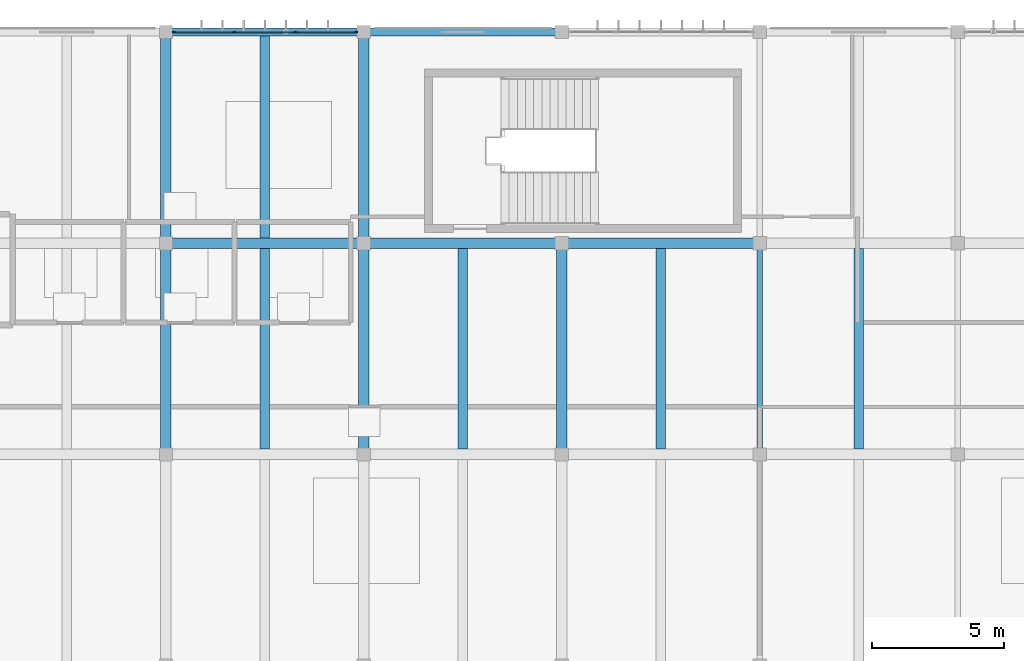
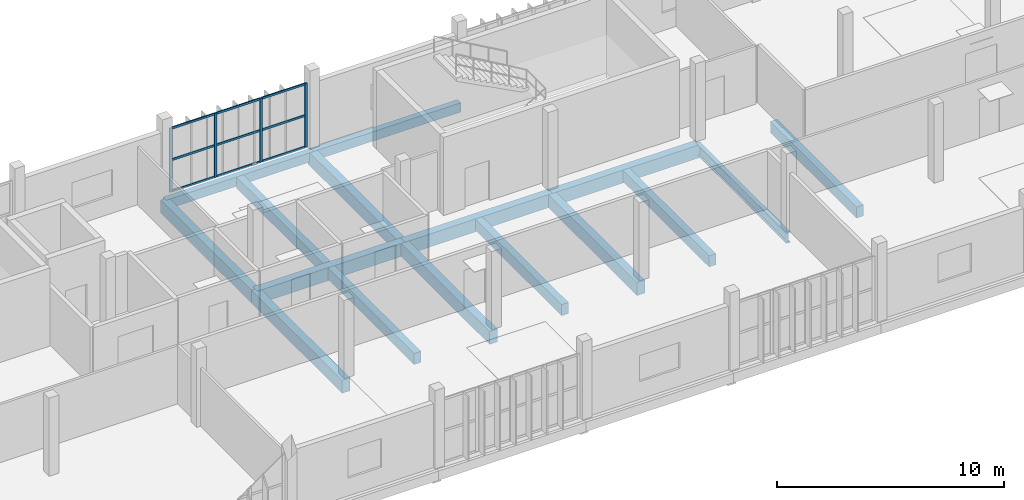
# One storey, part 10 of 27: 16 beams, 13 members, 1 element without a shape of its own.
"""IFC4 building model written with IfcOpenShell, lengths in metres."""

from ifc_helpers import new_model, si_unit, direction, frame, origin, origin_2d, place, context, subcontext, project, spatial, rectangle, i_section, extrude, material, material_profile, profile_set, type_object, element, aggregate, save


model = new_model("IFC4")

# Units and contexts
model_context = context("Model", 3, precision=1e-05, world=origin(), true_north=direction((0.0, 1.0)))
body_context = subcontext(model_context, "Body", "Model", "MODEL_VIEW")
ifc_project = project(units=[si_unit("LENGTHUNIT", "METRE"), si_unit("AREAUNIT", "SQUARE_METRE"), si_unit("VOLUMEUNIT", "CUBIC_METRE"), si_unit("PLANEANGLEUNIT", "RADIAN"), si_unit("MASSUNIT", "GRAM", prefix="KILO")], contexts=[model_context])

# Site, building, storey
site_placement = place(None, origin())
site = spatial("IfcSite", under=ifc_project, at=site_placement, CompositionType="ELEMENT")
building_placement = place(site_placement, origin())
building = spatial("IfcBuilding", under=site, at=building_placement, Name="Vourika Railside Aquatics Centre", CompositionType="ELEMENT")
storey_placement = place(building_placement, frame((0.0, 0.0, 13.5)))
storey = spatial("IfcBuildingStorey", under=building, at=storey_placement, Name="L03", CompositionType="ELEMENT", Elevation=13.5)

# Beams
ifc_material_1 = material(Name="Concrete C35/45", Category="concrete")
ifc_material_profile_1 = material_profile(ifc_material_1, rectangle(XDim=0.39990234375, YDim=0.699951171875, at=origin_2d()), Name="RC 400x700")
ifc_profile_set_1 = profile_set([ifc_material_profile_1], Name="Concrete C35/45")
beam_type_1 = type_object("IfcBeamType", Name="BM-GIRD-400x700", PredefinedType="BEAM", material=ifc_profile_set_1)
for number, where, z_axis, x_axis, name in (
    (1, (66.0, 108.0, -0.610107421875), (1.0, 0.0, 0.0), (0.0, 1.0, 0.0), "Floor Beam GX-L03-076"),
    (2, (73.5, 108.0, -0.610107421875), (1.0, 0.0, 0.0), (0.0, 1.0, 0.0), "Floor Beam GX-L03-077"),
    (3, (81.0, 108.0, -0.610107421875), (1.0, 0.0, 0.0), (0.0, 1.0, 0.0), "Floor Beam GX-L03-078"),
):
    element("IfcBeam", number, at=place(storey_placement, frame(where, z_axis=z_axis, x_axis=x_axis)), inside=storey, type_object=beam_type_1, Name=name, PredefinedType="BEAM", context=body_context, shape_type="SweptSolid", body=[
        extrude(rectangle(XDim=0.39990234375, YDim=0.699951171875, at=origin_2d()), origin(), (0.0, 0.0, 1.0), 7.5),
    ])
for number, where, z_axis, x_axis, name in (
    (4, (66.0, 100.0, -0.610107421875), (0.0, 1.0, 0.0), (-1.0, 0.0, 0.0), "Floor Girder GY-L03-136"),
    (5, (66.0, 108.0, -0.610107421875), (0.0, 1.0, 0.0), (-1.0, 0.0, 0.0), "Floor Girder GY-L03-137"),
    (6, (73.5, 100.0, -0.610107421875), (0.0, 1.0, 0.0), (-1.0, 0.0, 0.0), "Floor Girder GY-L03-139"),
    (7, (73.5, 108.0, -0.610107421875), (0.0, 1.0, 0.0), (-1.0, 0.0, 0.0), "Floor Girder GY-L03-140"),
    (8, (81.0, 100.0, -0.610107421875), (0.0, 1.0, 0.0), (-1.0, 0.0, 0.0), "Floor Girder GY-L03-142"),
):
    element("IfcBeam", number, at=place(storey_placement, frame(where, z_axis=z_axis, x_axis=x_axis)), inside=storey, type_object=beam_type_1, Name=name, PredefinedType="BEAM", context=body_context, shape_type="SweptSolid", body=[
        extrude(rectangle(XDim=0.39990234375, YDim=0.699951171875, at=origin_2d()), origin(), (0.0, 0.0, 1.0), 8.0),
    ])
ifc_material_profile_2 = material_profile(ifc_material_1, rectangle(XDim=0.35009765625, YDim=0.60009765625, at=origin_2d()), Name="RC 350x600")
ifc_profile_set_2 = profile_set([ifc_material_profile_2], Name="Concrete C35/45")
beam_type_2 = type_object("IfcBeamType", Name="BM-SEC-350x600", PredefinedType="JOIST", material=ifc_profile_set_2)
for number, where, z_axis, x_axis, name in (
    (9, (69.75, 100.199951171875, -0.56005859375), (0.0, 1.0, 0.0), (-1.0, 0.0, 0.0), "Secondary Joist JY-L03-235"),
    (10, (77.25, 100.199951171875, -0.56005859375), (0.0, 1.0, 0.0), (-1.0, 0.0, 0.0), "Secondary Joist JY-L03-236"),
    (11, (84.75, 100.199951171875, -0.56005859375), (0.0, 1.0, 0.0), (-1.0, 0.0, 0.0), "Secondary Joist JY-L03-237"),
    (12, (92.25, 100.199951171875, -0.56005859375), (0.0, 1.0, 0.0), (-1.0, 0.0, 0.0), "Secondary Joist JY-L03-238"),
):
    element("IfcBeam", number, at=place(storey_placement, frame(where, z_axis=z_axis, x_axis=x_axis)), inside=storey, type_object=beam_type_2, Name=name, PredefinedType="JOIST", context=body_context, shape_type="SweptSolid", body=[
        extrude(rectangle(XDim=0.35009765625, YDim=0.60009765625, at=origin_2d()), origin(), (0.0, 0.0, 1.0), 7.60009765625),
    ])
beam_1_placement = place(storey_placement, frame((69.75, 108.199951171875, -0.56005859375), z_axis=(0.0, 1.0, 0.0), x_axis=(-1.0, 0.0, 0.0)))
element("IfcBeam", 13, at=beam_1_placement, inside=storey, type_object=beam_type_2, Name="Secondary Joist JY-L03-246", PredefinedType="JOIST", context=body_context, shape_type="SweptSolid", body=[
    extrude(rectangle(XDim=0.35009765625, YDim=0.60009765625, at=origin_2d()), origin(), (0.0, 0.0, 1.0), 7.650146484375),
])
ifc_material_profile_3 = material_profile(ifc_material_1, rectangle(XDim=0.300048828125, YDim=0.5, at=origin_2d()), Name="RC 300x500")
ifc_profile_set_3 = profile_set([ifc_material_profile_3], Name="Concrete C35/45")
beam_type_3 = type_object("IfcBeamType", Name="BM-SPAN-300x500", PredefinedType="SPANDREL", material=ifc_profile_set_3)
for number, where, z_axis, x_axis, name in (
    (14, (66.0, 116.0, -0.510009765625), (1.0, 0.0, 0.0), (0.0, 1.0, 0.0), "Floor Beam GX-L03-091"),
    (15, (73.5, 116.0, -0.510009765625), (1.0, 0.0, 0.0), (0.0, 1.0, 0.0), "Floor Beam GX-L03-092"),
):
    element("IfcBeam", number, at=place(storey_placement, frame(where, z_axis=z_axis, x_axis=x_axis)), inside=storey, type_object=beam_type_3, Name=name, PredefinedType="SPANDREL", context=body_context, shape_type="SweptSolid", body=[
        extrude(rectangle(XDim=0.300048828125, YDim=0.5, at=origin_2d()), origin(), (0.0, 0.0, 1.0), 7.5),
    ])
ifc_material_2 = material(Name="Steel S355J2", Category="steel")
ifc_material_profile_4 = material_profile(ifc_material_2, i_section(OverallWidth=0.2099609375, OverallDepth=0.550048828125, WebThickness=0.010986328125, FlangeThickness=0.01708984375, at=origin_2d()), Name="IPE 550")
ifc_profile_set_4 = profile_set([ifc_material_profile_4], Name="Steel S355J2")
beam_type_4 = type_object("IfcBeamType", Name="BM-STL-IPE550", PredefinedType="BEAM", material=ifc_profile_set_4)
beam_2_placement = place(storey_placement, frame((88.5, 100.0, -0.534912109375), z_axis=(0.0, 1.0, 0.0), x_axis=(-1.0, 0.0, 0.0)))
element("IfcBeam", 16, at=beam_2_placement, inside=storey, type_object=beam_type_4, Name="Floor Girder GY-L03-144", PredefinedType="BEAM", context=body_context, shape_type="SweptSolid", body=[
    extrude(i_section(OverallWidth=0.2099609375, OverallDepth=0.550048828125, WebThickness=0.010986328125, FlangeThickness=0.01708984375, at=origin_2d()), origin(), (0.0, 0.0, 1.0), 8.0),
])

# Curtain wall, members
ifc_material_3 = material(Name="Anodized thermally broken aluminium", Category="aluminium")
curtain_wall_type = type_object("IfcCurtainWallType", Name="CW-FIT3", PredefinedType="NOTDEFINED", material=ifc_material_3)
curtain_wall_placement = place(storey_placement, origin())
curtain_wall = element("IfcCurtainWall", 17, at=curtain_wall_placement, inside=storey, type_object=curtain_wall_type, Name="North Boulevard Curtain Wall L03-7", PredefinedType="NOTDEFINED")
ifc_material_4 = material(Name="Anodized aluminium mullion", Category="aluminium")
ifc_material_profile_5 = material_profile(ifc_material_4, rectangle(XDim=0.05810546875, YDim=0.14208984375, at=origin_2d()), Name="ALU-M 58x142")
ifc_profile_set_5 = profile_set([ifc_material_profile_5], Name="Anodized aluminium mullion")
member_type_1 = type_object("IfcMemberType", Name="CWM-FIT3", PredefinedType="MULLION", material=ifc_profile_set_5)
member_1_placement = place(storey_placement, frame((73.19091796875, 116.0, 0.0), z_axis=(0.0, 0.0, 1.0), x_axis=(0.0, -1.0, 0.0)))
member_1 = element("IfcMember", 18, at=member_1_placement, type_object=member_type_1, Name="CW17 mullion 1", PredefinedType="MULLION", context=body_context, shape_type="SweptSolid", body=[
    extrude(rectangle(XDim=0.05810546875, YDim=0.14208984375, at=origin_2d()), origin(), (0.0, 0.0, 1.0), 3.43994140625),
])
member_2_placement = place(storey_placement, frame((70.90673828125, 116.0, 0.0), z_axis=(0.0, 0.0, 1.0), x_axis=(0.0, -1.0, 0.0)))
member_2 = element("IfcMember", 19, at=member_2_placement, type_object=member_type_1, Name="CW17 mullion 2", PredefinedType="MULLION", context=body_context, shape_type="SweptSolid", body=[
    extrude(rectangle(XDim=0.05810546875, YDim=0.14208984375, at=origin_2d()), origin(), (0.0, 0.0, 1.0), 3.43994140625),
])
member_3_placement = place(storey_placement, frame((68.59326171875, 116.0, 0.0), z_axis=(0.0, 0.0, 1.0), x_axis=(0.0, -1.0, 0.0)))
member_3 = element("IfcMember", 20, at=member_3_placement, type_object=member_type_1, Name="CW17 mullion 3", PredefinedType="MULLION", context=body_context, shape_type="SweptSolid", body=[
    extrude(rectangle(XDim=0.05810546875, YDim=0.14208984375, at=origin_2d()), origin(), (0.0, 0.0, 1.0), 3.43994140625),
])
member_4_placement = place(storey_placement, frame((66.30908203125, 116.0, 0.0), z_axis=(0.0, 0.0, 1.0), x_axis=(0.0, -1.0, 0.0)))
member_4 = element("IfcMember", 21, at=member_4_placement, type_object=member_type_1, Name="CW17 mullion 4", PredefinedType="MULLION", context=body_context, shape_type="SweptSolid", body=[
    extrude(rectangle(XDim=0.05810546875, YDim=0.14208984375, at=origin_2d()), origin(), (0.0, 0.0, 1.0), 3.43994140625),
])
ifc_material_5 = material(Name="Anodized aluminium transom", Category="aluminium")
ifc_material_profile_6 = material_profile(ifc_material_5, rectangle(XDim=0.05810546875, YDim=0.112060546875, at=origin_2d()), Name="ALU-T 58x112")
ifc_profile_set_6 = profile_set([ifc_material_profile_6], Name="Anodized aluminium transom")
member_type_2 = type_object("IfcMemberType", Name="CWT-FIT3", PredefinedType="USERDEFINED", material=ifc_profile_set_6)
member_5_placement = place(storey_placement, frame((73.162109375, 116.0, 0.029052734375), z_axis=(-1.0, 0.0, 0.0), x_axis=(0.0, -1.0, 0.0)))
member_5 = element("IfcMember", 22, at=member_5_placement, type_object=member_type_2, Name="CW17 transom 1.1", ObjectType="TRANSOM", PredefinedType="USERDEFINED", context=body_context, shape_type="SweptSolid", body=[
    extrude(rectangle(XDim=0.05810546875, YDim=0.112060546875, at=origin_2d()), origin(), (0.0, 0.0, 1.0), 2.2265625),
])
member_6_placement = place(storey_placement, frame((73.162109375, 116.0, 1.719970703125), z_axis=(-1.0, 0.0, 0.0), x_axis=(0.0, -1.0, 0.0)))
member_6 = element("IfcMember", 23, at=member_6_placement, type_object=member_type_2, Name="CW17 transom 1.2", ObjectType="TRANSOM", PredefinedType="USERDEFINED", context=body_context, shape_type="SweptSolid", body=[
    extrude(rectangle(XDim=0.05810546875, YDim=0.112060546875, at=origin_2d()), origin(), (0.0, 0.0, 1.0), 2.2265625),
])
member_7_placement = place(storey_placement, frame((73.162109375, 116.0, 3.410888671875), z_axis=(-1.0, 0.0, 0.0), x_axis=(0.0, -1.0, 0.0)))
member_7 = element("IfcMember", 24, at=member_7_placement, type_object=member_type_2, Name="CW17 transom 1.3", ObjectType="TRANSOM", PredefinedType="USERDEFINED", context=body_context, shape_type="SweptSolid", body=[
    extrude(rectangle(XDim=0.05810546875, YDim=0.112060546875, at=origin_2d()), origin(), (0.0, 0.0, 1.0), 2.2265625),
])
member_8_placement = place(storey_placement, frame((70.877685546875, 116.0, 0.029052734375), z_axis=(-1.0, 0.0, 0.0), x_axis=(0.0, -1.0, 0.0)))
member_8 = element("IfcMember", 25, at=member_8_placement, type_object=member_type_2, Name="CW17 transom 2.1", ObjectType="TRANSOM", PredefinedType="USERDEFINED", context=body_context, shape_type="SweptSolid", body=[
    extrude(rectangle(XDim=0.05810546875, YDim=0.112060546875, at=origin_2d()), origin(), (0.0, 0.0, 1.0), 2.25537109375),
])
member_9_placement = place(storey_placement, frame((70.877685546875, 116.0, 1.719970703125), z_axis=(-1.0, 0.0, 0.0), x_axis=(0.0, -1.0, 0.0)))
member_9 = element("IfcMember", 26, at=member_9_placement, type_object=member_type_2, Name="CW17 transom 2.2", ObjectType="TRANSOM", PredefinedType="USERDEFINED", context=body_context, shape_type="SweptSolid", body=[
    extrude(rectangle(XDim=0.05810546875, YDim=0.112060546875, at=origin_2d()), origin(), (0.0, 0.0, 1.0), 2.25537109375),
])
member_10_placement = place(storey_placement, frame((70.877685546875, 116.0, 3.410888671875), z_axis=(-1.0, 0.0, 0.0), x_axis=(0.0, -1.0, 0.0)))
member_10 = element("IfcMember", 27, at=member_10_placement, type_object=member_type_2, Name="CW17 transom 2.3", ObjectType="TRANSOM", PredefinedType="USERDEFINED", context=body_context, shape_type="SweptSolid", body=[
    extrude(rectangle(XDim=0.05810546875, YDim=0.112060546875, at=origin_2d()), origin(), (0.0, 0.0, 1.0), 2.25537109375),
])
member_11_placement = place(storey_placement, frame((68.564453125, 116.0, 0.029052734375), z_axis=(-1.0, 0.0, 0.0), x_axis=(0.0, -1.0, 0.0)))
member_11 = element("IfcMember", 28, at=member_11_placement, type_object=member_type_2, Name="CW17 transom 3.1", ObjectType="TRANSOM", PredefinedType="USERDEFINED", context=body_context, shape_type="SweptSolid", body=[
    extrude(rectangle(XDim=0.05810546875, YDim=0.112060546875, at=origin_2d()), origin(), (0.0, 0.0, 1.0), 2.2265625),
])
member_12_placement = place(storey_placement, frame((68.564453125, 116.0, 1.719970703125), z_axis=(-1.0, 0.0, 0.0), x_axis=(0.0, -1.0, 0.0)))
member_12 = element("IfcMember", 29, at=member_12_placement, type_object=member_type_2, Name="CW17 transom 3.2", ObjectType="TRANSOM", PredefinedType="USERDEFINED", context=body_context, shape_type="SweptSolid", body=[
    extrude(rectangle(XDim=0.05810546875, YDim=0.112060546875, at=origin_2d()), origin(), (0.0, 0.0, 1.0), 2.2265625),
])
member_13_placement = place(storey_placement, frame((68.564453125, 116.0, 3.410888671875), z_axis=(-1.0, 0.0, 0.0), x_axis=(0.0, -1.0, 0.0)))
member_13 = element("IfcMember", 30, at=member_13_placement, type_object=member_type_2, Name="CW17 transom 3.3", ObjectType="TRANSOM", PredefinedType="USERDEFINED", context=body_context, shape_type="SweptSolid", body=[
    extrude(rectangle(XDim=0.05810546875, YDim=0.112060546875, at=origin_2d()), origin(), (0.0, 0.0, 1.0), 2.2265625),
])
aggregate(curtain_wall, [member_1, member_2, member_3, member_4, member_5, member_6, member_7, member_8, member_9, member_10, member_11, member_12, member_13])

save(model, "model.ifc")
